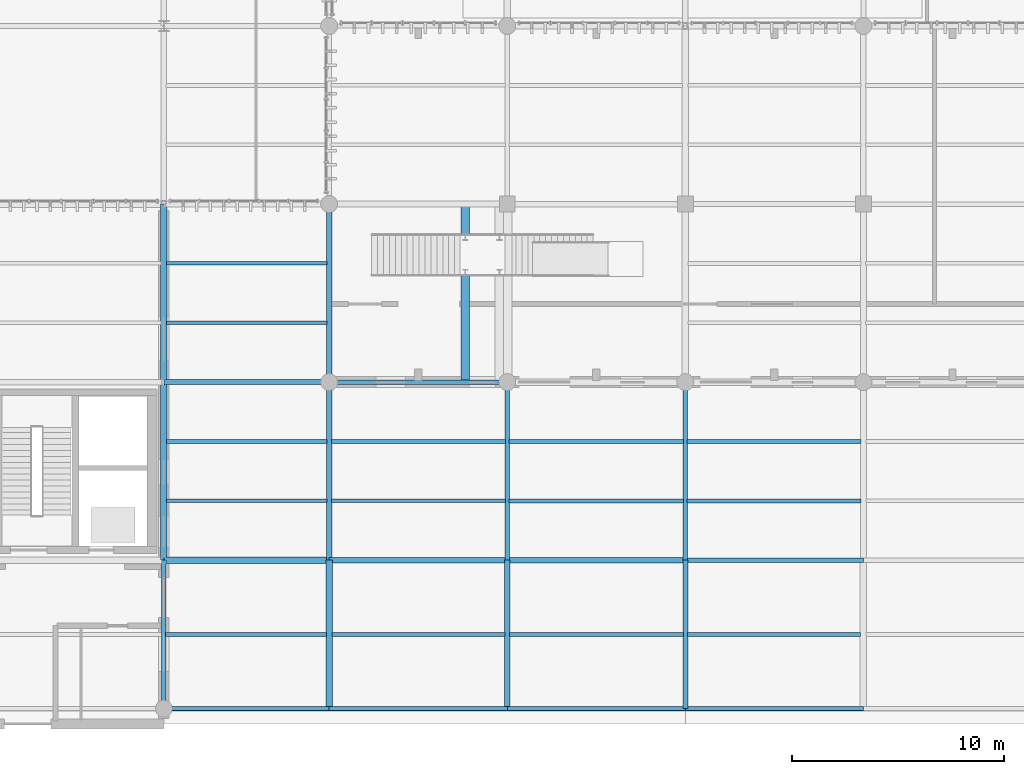
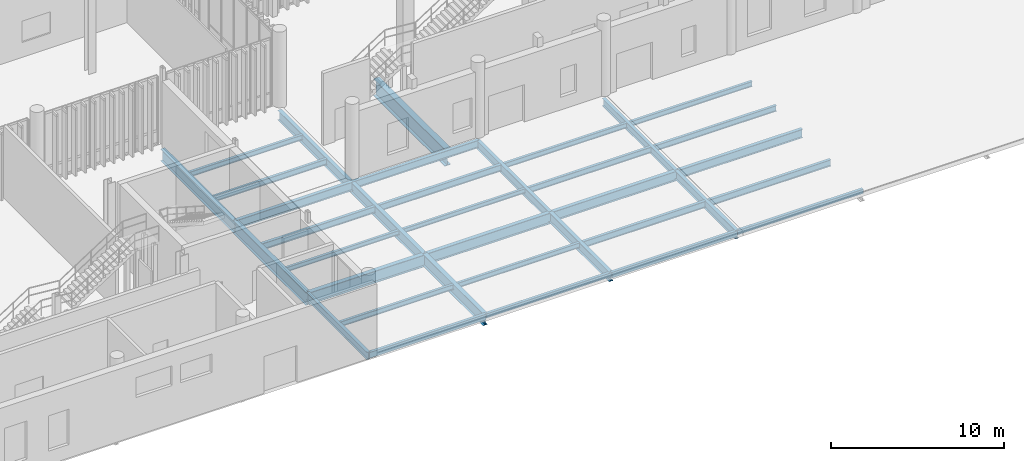
# One storey, part 20 of 112: 35 beams.
"""IFC4 building model written with IfcOpenShell, lengths in metres."""

from ifc_helpers import new_model, si_unit, direction, frame, origin_with_axes, origin_2d_with_axis, place, context, subcontext, project, spatial, hollow_rectangle, i_section, extrude, material, material_profile, profile_set, type_object, element, save


model = new_model("IFC4")

# Units and contexts
model_context = context("Model", 3, precision=1e-05, world=origin_with_axes(), true_north=direction((0.0, 1.0)))
body_context = subcontext(model_context, "Body", "Model", "MODEL_VIEW")
ifc_project = project(units=[si_unit("LENGTHUNIT", "METRE"), si_unit("AREAUNIT", "SQUARE_METRE"), si_unit("VOLUMEUNIT", "CUBIC_METRE"), si_unit("PLANEANGLEUNIT", "RADIAN"), si_unit("MASSUNIT", "GRAM", prefix="KILO"), si_unit("THERMODYNAMICTEMPERATUREUNIT", "KELVIN")], contexts=[model_context])

# Site, building, storey
site_placement = place(None, origin_with_axes())
site = spatial("IfcSite", under=ifc_project, at=site_placement, CompositionType="ELEMENT")
building_placement = place(site_placement, origin_with_axes())
building = spatial("IfcBuilding", under=site, at=building_placement, Name="Montbau Bow Law Courts", CompositionType="ELEMENT")
storey_placement = place(building_placement, origin_with_axes())
storey = spatial("IfcBuildingStorey", under=building, at=storey_placement, Name="L00", CompositionType="ELEMENT", Elevation=0.0)

# Beams
ifc_material_1 = material(Name="Steel CSA G40.21 Grade 350W (350 MPa)", Category="steel")
ifc_material_profile_1 = material_profile(ifc_material_1, i_section(OverallWidth=0.306, OverallDepth=0.919, WebThickness=0.0173, FlangeThickness=0.0279, at=origin_2d_with_axis()), Name="W920X253", Category="Main", Priority=0)
ifc_profile_set_1 = profile_set([ifc_material_profile_1], Name="Steel CSA G40.21 Grade 350W (350 MPa)")
beam_type_1 = type_object("IfcBeamType", Name="B-FLR-01", PredefinedType="BEAM", material=ifc_profile_set_1)
beam_1_placement = place(None, frame((39.0, 13.8, -0.75), z_axis=(0.0, 1.0, 0.0), x_axis=(-1.0, 0.0, 0.0)))
element("IfcBeam", 1, at=beam_1_placement, inside=storey, type_object=beam_type_1, Name="BM-L00-S0261:bm2_0264", PredefinedType="BEAM", context=body_context, shape_type="SweptSolid", body=[
    extrude(i_section(OverallWidth=0.306, OverallDepth=0.919, WebThickness=0.0173, FlangeThickness=0.0279, at=origin_2d_with_axis()), origin_with_axes(), (0.0, 0.0, 1.0), 8.4),
])
ifc_material_profile_2 = material_profile(ifc_material_1, i_section(OverallWidth=0.293, OverallDepth=0.846, WebThickness=0.0154, FlangeThickness=0.0244, at=origin_2d_with_axis()), Name="W840X210", Category="Main", Priority=0)
ifc_profile_set_2 = profile_set([ifc_material_profile_2], Name="Steel CSA G40.21 Grade 350W (350 MPa)")
beam_type_2 = type_object("IfcBeamType", Name="B-FLR-02", PredefinedType="BEAM", material=ifc_profile_set_2)
beam_2_placement = place(None, frame((39.0, 13.8, -0.713), z_axis=(1.0, 0.0, 0.0), x_axis=(0.0, 1.0, 0.0)))
element("IfcBeam", 2, at=beam_2_placement, inside=storey, type_object=beam_type_2, Name="BM-L00-S0145:bm2_0148", PredefinedType="BEAM", context=body_context, shape_type="SweptSolid", body=[
    extrude(i_section(OverallWidth=0.293, OverallDepth=0.846, WebThickness=0.0154, FlangeThickness=0.0244, at=origin_2d_with_axis()), origin_with_axes(), (0.0, 0.0, 1.0), 7.8),
])
beam_3_placement = place(None, frame((39.0, 22.2, -0.763), z_axis=(0.0, 1.0, 0.0), x_axis=(-1.0, 0.0, 0.0)))
element("IfcBeam", 3, at=beam_3_placement, inside=storey, type_object=beam_type_2, Name="BM-L00-S0262:bm2_0265", PredefinedType="BEAM", context=body_context, shape_type="SweptSolid", body=[
    extrude(i_section(OverallWidth=0.293, OverallDepth=0.846, WebThickness=0.0154, FlangeThickness=0.0244, at=origin_2d_with_axis()), origin_with_axes(), (0.0, 0.0, 1.0), 8.4),
])
beam_4_placement = place(None, frame((46.8, 6.8, -0.713), z_axis=(0.0, 1.0, 0.0), x_axis=(-1.0, 0.0, 0.0)))
element("IfcBeam", 4, at=beam_4_placement, inside=storey, type_object=beam_type_2, Name="BM-L00-S0267:bm2_0270", PredefinedType="BEAM", context=body_context, shape_type="SweptSolid", body=[
    extrude(i_section(OverallWidth=0.293, OverallDepth=0.846, WebThickness=0.0154, FlangeThickness=0.0244, at=origin_2d_with_axis()), origin_with_axes(), (0.0, 0.0, 1.0), 7.0),
])
ifc_material_profile_3 = material_profile(ifc_material_1, i_section(OverallWidth=0.267, OverallDepth=0.766, WebThickness=0.0149, FlangeThickness=0.0236, at=origin_2d_with_axis()), Name="W760X185", Category="Main", Priority=0)
ifc_profile_set_3 = profile_set([ifc_material_profile_3], Name="Steel CSA G40.21 Grade 350W (350 MPa)")
beam_type_3 = type_object("IfcBeamType", Name="B-FLR-03", PredefinedType="BEAM", material=ifc_profile_set_3)
for number, where, z_axis, x_axis, name in (
    (5, (46.8, 13.8, -0.673), (1.0, 0.0, 0.0), (0.0, 1.0, 0.0), "BM-L00-S0146:bm2_0149"),
    (6, (46.8, 13.8, -0.673), (0.0, 1.0, 0.0), (-1.0, 0.0, 0.0), "BM-L00-S0268:bm2_0271"),
):
    element("IfcBeam", number, at=place(None, frame(where, z_axis=z_axis, x_axis=x_axis)), inside=storey, type_object=beam_type_3, Name=name, PredefinedType="BEAM", context=body_context, shape_type="SweptSolid", body=[
        extrude(i_section(OverallWidth=0.267, OverallDepth=0.766, WebThickness=0.0149, FlangeThickness=0.0236, at=origin_2d_with_axis()), origin_with_axes(), (0.0, 0.0, 1.0), 8.4),
    ])
ifc_material_profile_4 = material_profile(ifc_material_1, i_section(OverallWidth=0.254, OverallDepth=0.688, WebThickness=0.0131, FlangeThickness=0.0211, at=origin_2d_with_axis()), Name="W690X152", Category="Main", Priority=0)
ifc_profile_set_4 = profile_set([ifc_material_profile_4], Name="Steel CSA G40.21 Grade 350W (350 MPa)")
beam_type_4 = type_object("IfcBeamType", Name="B-FLR-04", PredefinedType="BEAM", material=ifc_profile_set_4)
for number, where, z_axis, x_axis, name in (
    (7, (55.2, 13.8, -0.634), (1.0, 0.0, 0.0), (0.0, 1.0, 0.0), "BM-L00-S0147:bm2_0150"),
    (8, (46.8, 22.2, -0.684), (0.0, 1.0, 0.0), (-1.0, 0.0, 0.0), "BM-L00-S0269:bm2_0272"),
):
    element("IfcBeam", number, at=place(None, frame(where, z_axis=z_axis, x_axis=x_axis)), inside=storey, type_object=beam_type_4, Name=name, PredefinedType="BEAM", context=body_context, shape_type="SweptSolid", body=[
        extrude(i_section(OverallWidth=0.254, OverallDepth=0.688, WebThickness=0.0131, FlangeThickness=0.0211, at=origin_2d_with_axis()), origin_with_axes(), (0.0, 0.0, 1.0), 8.4),
    ])
beam_5_placement = place(None, frame((55.2, 6.8, -0.634), z_axis=(0.0, 1.0, 0.0), x_axis=(-1.0, 0.0, 0.0)))
element("IfcBeam", 9, at=beam_5_placement, inside=storey, type_object=beam_type_4, Name="BM-L00-S0274:bm2_0277", PredefinedType="BEAM", context=body_context, shape_type="SweptSolid", body=[
    extrude(i_section(OverallWidth=0.254, OverallDepth=0.688, WebThickness=0.0131, FlangeThickness=0.0211, at=origin_2d_with_axis()), origin_with_axes(), (0.0, 0.0, 1.0), 7.0),
])
ifc_material_profile_5 = material_profile(ifc_material_1, i_section(OverallWidth=0.229, OverallDepth=0.612, WebThickness=0.0119, FlangeThickness=0.0196, at=origin_2d_with_axis()), Name="W610X125", Category="Main", Priority=0)
ifc_profile_set_5 = profile_set([ifc_material_profile_5], Name="Steel CSA G40.21 Grade 350W (350 MPa)")
beam_type_5 = type_object("IfcBeamType", Name="B-FLR-05", PredefinedType="BEAM", material=ifc_profile_set_5)
beam_6_placement = place(None, frame((63.6, 13.8, -0.596), z_axis=(1.0, 0.0, 0.0), x_axis=(0.0, 1.0, 0.0)))
element("IfcBeam", 10, at=beam_6_placement, inside=storey, type_object=beam_type_5, Name="BM-L00-S0148:bm2_0151", PredefinedType="BEAM", context=body_context, shape_type="SweptSolid", body=[
    extrude(i_section(OverallWidth=0.229, OverallDepth=0.612, WebThickness=0.0119, FlangeThickness=0.0196, at=origin_2d_with_axis()), origin_with_axes(), (0.0, 0.0, 1.0), 8.4),
])
beam_7_placement = place(None, frame((39.0, 22.2, -0.596), z_axis=(1.0, 0.0, 0.0), x_axis=(0.0, 1.0, 0.0)))
element("IfcBeam", 11, at=beam_7_placement, inside=storey, type_object=beam_type_5, Name="BM-L00-S0159:bm2_0162", PredefinedType="BEAM", context=body_context, shape_type="SweptSolid", body=[
    extrude(i_section(OverallWidth=0.229, OverallDepth=0.612, WebThickness=0.0119, FlangeThickness=0.0196, at=origin_2d_with_axis()), origin_with_axes(), (0.0, 0.0, 1.0), 7.8),
])
beam_8_placement = place(None, frame((55.2, 13.8, -0.596), z_axis=(0.0, 1.0, 0.0), x_axis=(-1.0, 0.0, 0.0)))
element("IfcBeam", 12, at=beam_8_placement, inside=storey, type_object=beam_type_5, Name="BM-L00-S0275:bm2_0278", PredefinedType="BEAM", context=body_context, shape_type="SweptSolid", body=[
    extrude(i_section(OverallWidth=0.229, OverallDepth=0.612, WebThickness=0.0119, FlangeThickness=0.0196, at=origin_2d_with_axis()), origin_with_axes(), (0.0, 0.0, 1.0), 8.4),
])
beam_9_placement = place(None, frame((63.6, 6.8, -0.596), z_axis=(0.0, 1.0, 0.0), x_axis=(-1.0, 0.0, 0.0)))
element("IfcBeam", 13, at=beam_9_placement, inside=storey, type_object=beam_type_5, Name="BM-L00-S0280:bm2_0283", PredefinedType="BEAM", context=body_context, shape_type="SweptSolid", body=[
    extrude(i_section(OverallWidth=0.229, OverallDepth=0.612, WebThickness=0.0119, FlangeThickness=0.0196, at=origin_2d_with_axis()), origin_with_axes(), (0.0, 0.0, 1.0), 7.0),
])
ifc_material_profile_6 = material_profile(ifc_material_1, i_section(OverallWidth=0.21, OverallDepth=0.537, WebThickness=0.0109, FlangeThickness=0.0174, at=origin_2d_with_axis()), Name="W530X101", Category="Main", Priority=0)
ifc_profile_set_6 = profile_set([ifc_material_profile_6], Name="Steel CSA G40.21 Grade 350W (350 MPa)")
beam_type_6 = type_object("IfcBeamType", Name="B-FLR-06", PredefinedType="BEAM", material=ifc_profile_set_6)
beam_10_placement = place(None, frame((46.8, 22.2, -0.558), z_axis=(1.0, 0.0, 0.0), x_axis=(0.0, 1.0, 0.0)))
element("IfcBeam", 14, at=beam_10_placement, inside=storey, type_object=beam_type_6, Name="BM-L00-S0160:bm2_0163", PredefinedType="BEAM", context=body_context, shape_type="SweptSolid", body=[
    extrude(i_section(OverallWidth=0.21, OverallDepth=0.537, WebThickness=0.0109, FlangeThickness=0.0174, at=origin_2d_with_axis()), origin_with_axes(), (0.0, 0.0, 1.0), 8.4),
])
beam_11_placement = place(None, frame((39.0, 6.8, -0.558), z_axis=(0.0, 1.0, 0.0), x_axis=(-1.0, 0.0, 0.0)))
element("IfcBeam", 15, at=beam_11_placement, inside=storey, type_object=beam_type_6, Name="BM-L00-S0260:bm2_0263", PredefinedType="BEAM", context=body_context, shape_type="SweptSolid", body=[
    extrude(i_section(OverallWidth=0.21, OverallDepth=0.537, WebThickness=0.0109, FlangeThickness=0.0174, at=origin_2d_with_axis()), origin_with_axes(), (0.0, 0.0, 1.0), 7.0),
])
beam_12_placement = place(None, frame((63.6, 13.8, -0.558), z_axis=(0.0, 1.0, 0.0), x_axis=(-1.0, 0.0, 0.0)))
element("IfcBeam", 16, at=beam_12_placement, inside=storey, type_object=beam_type_6, Name="BM-L00-S0281:bm2_0284", PredefinedType="BEAM", context=body_context, shape_type="SweptSolid", body=[
    extrude(i_section(OverallWidth=0.21, OverallDepth=0.537, WebThickness=0.0109, FlangeThickness=0.0174, at=origin_2d_with_axis()), origin_with_axes(), (0.0, 0.0, 1.0), 8.4),
])
ifc_material_profile_7 = material_profile(ifc_material_1, i_section(OverallWidth=0.191, OverallDepth=0.46, WebThickness=0.0099, FlangeThickness=0.016, at=origin_2d_with_axis()), Name="W460X82", Category="Main", Priority=0)
ifc_profile_set_7 = profile_set([ifc_material_profile_7], Name="Steel CSA G40.21 Grade 350W (350 MPa)")
beam_type_7 = type_object("IfcBeamType", Name="B-JST-01", PredefinedType="JOIST", material=ifc_profile_set_7)
beam_13_placement = place(None, frame((39.129, 19.4, -0.52), z_axis=(1.0, 0.0, 0.0), x_axis=(0.0, 1.0, 0.0)))
element("IfcBeam", 17, at=beam_13_placement, inside=storey, type_object=beam_type_7, Name="JST-L00-S0032:jst2_0032", PredefinedType="JOIST", context=body_context, shape_type="SweptSolid", body=[
    extrude(i_section(OverallWidth=0.191, OverallDepth=0.46, WebThickness=0.0099, FlangeThickness=0.016, at=origin_2d_with_axis()), origin_with_axes(), (0.0, 0.0, 1.0), 7.562),
])
beam_14_placement = place(None, frame((46.909, 19.4, -0.52), z_axis=(1.0, 0.0, 0.0), x_axis=(0.0, 1.0, 0.0)))
element("IfcBeam", 18, at=beam_14_placement, inside=storey, type_object=beam_type_7, Name="JST-L00-S0044:jst2_0044", PredefinedType="JOIST", context=body_context, shape_type="SweptSolid", body=[
    extrude(i_section(OverallWidth=0.191, OverallDepth=0.46, WebThickness=0.0099, FlangeThickness=0.016, at=origin_2d_with_axis()), origin_with_axes(), (0.0, 0.0, 1.0), 8.201),
])
beam_15_placement = place(None, frame((55.303, 10.3, -0.52), z_axis=(1.0, 0.0, 0.0), x_axis=(0.0, 1.0, 0.0)))
element("IfcBeam", 19, at=beam_15_placement, inside=storey, type_object=beam_type_7, Name="JST-L00-S0052:jst2_0052", PredefinedType="JOIST", context=body_context, shape_type="SweptSolid", body=[
    extrude(i_section(OverallWidth=0.191, OverallDepth=0.46, WebThickness=0.0099, FlangeThickness=0.016, at=origin_2d_with_axis()), origin_with_axes(), (0.0, 0.0, 1.0), 8.207),
])
beam_16_placement = place(None, frame((63.691, 10.3, -0.52), z_axis=(1.0, 0.0, 0.0), x_axis=(0.0, 1.0, 0.0)))
element("IfcBeam", 20, at=beam_16_placement, inside=storey, type_object=beam_type_7, Name="JST-L00-S0060:jst2_0060", PredefinedType="JOIST", context=body_context, shape_type="SweptSolid", body=[
    extrude(i_section(OverallWidth=0.191, OverallDepth=0.46, WebThickness=0.0099, FlangeThickness=0.016, at=origin_2d_with_axis()), origin_with_axes(), (0.0, 0.0, 1.0), 8.18),
])
ifc_material_profile_8 = material_profile(ifc_material_1, i_section(OverallWidth=0.179, OverallDepth=0.41, WebThickness=0.0088, FlangeThickness=0.0144, at=origin_2d_with_axis()), Name="W410X67", Category="Main", Priority=0)
ifc_profile_set_8 = profile_set([ifc_material_profile_8], Name="Steel CSA G40.21 Grade 350W (350 MPa)")
beam_type_8 = type_object("IfcBeamType", Name="B-JST-02", PredefinedType="JOIST", material=ifc_profile_set_8)
beam_17_placement = place(None, frame((39.123, 25.0, -0.545), z_axis=(1.0, 0.0, 0.0), x_axis=(0.0, 1.0, 0.0)))
element("IfcBeam", 21, at=beam_17_placement, inside=storey, type_object=beam_type_8, Name="JST-L00-S0033:jst2_0033", PredefinedType="JOIST", context=body_context, shape_type="SweptSolid", body=[
    extrude(i_section(OverallWidth=0.179, OverallDepth=0.41, WebThickness=0.0088, FlangeThickness=0.0144, at=origin_2d_with_axis()), origin_with_axes(), (0.0, 0.0, 1.0), 7.574),
])
beam_18_placement = place(None, frame((55.291, 16.6, -0.495), z_axis=(1.0, 0.0, 0.0), x_axis=(0.0, 1.0, 0.0)))
element("IfcBeam", 22, at=beam_18_placement, inside=storey, type_object=beam_type_8, Name="JST-L00-S0053:jst2_0053", PredefinedType="JOIST", context=body_context, shape_type="SweptSolid", body=[
    extrude(i_section(OverallWidth=0.179, OverallDepth=0.41, WebThickness=0.0088, FlangeThickness=0.0144, at=origin_2d_with_axis()), origin_with_axes(), (0.0, 0.0, 1.0), 8.228),
])
beam_19_placement = place(None, frame((63.681, 16.6, -0.495), z_axis=(1.0, 0.0, 0.0), x_axis=(0.0, 1.0, 0.0)))
element("IfcBeam", 23, at=beam_19_placement, inside=storey, type_object=beam_type_8, Name="JST-L00-S0061:jst2_0061", PredefinedType="JOIST", context=body_context, shape_type="SweptSolid", body=[
    extrude(i_section(OverallWidth=0.179, OverallDepth=0.41, WebThickness=0.0088, FlangeThickness=0.0144, at=origin_2d_with_axis()), origin_with_axes(), (0.0, 0.0, 1.0), 8.196),
])
ifc_material_profile_9 = material_profile(ifc_material_1, i_section(OverallWidth=0.172, OverallDepth=0.358, WebThickness=0.0079, FlangeThickness=0.0131, at=origin_2d_with_axis()), Name="W360X57", Category="Main", Priority=0)
ifc_profile_set_9 = profile_set([ifc_material_profile_9], Name="Steel CSA G40.21 Grade 350W (350 MPa)")
beam_type_9 = type_object("IfcBeamType", Name="B-JST-03", PredefinedType="JOIST", material=ifc_profile_set_9)
beam_20_placement = place(None, frame((39.081, 10.3, -0.469), z_axis=(1.0, 0.0, 0.0), x_axis=(0.0, 1.0, 0.0)))
element("IfcBeam", 24, at=beam_20_placement, inside=storey, type_object=beam_type_9, Name="JST-L00-S0030:jst2_0030", PredefinedType="JOIST", context=body_context, shape_type="SweptSolid", body=[
    extrude(i_section(OverallWidth=0.172, OverallDepth=0.358, WebThickness=0.0079, FlangeThickness=0.0131, at=origin_2d_with_axis()), origin_with_axes(), (0.0, 0.0, 1.0), 7.596),
])
beam_21_placement = place(None, frame((39.123, 27.8, -0.519), z_axis=(1.0, 0.0, 0.0), x_axis=(0.0, 1.0, 0.0)))
element("IfcBeam", 25, at=beam_21_placement, inside=storey, type_object=beam_type_9, Name="JST-L00-S0034:jst2_0034", PredefinedType="JOIST", context=body_context, shape_type="SweptSolid", body=[
    extrude(i_section(OverallWidth=0.172, OverallDepth=0.358, WebThickness=0.0079, FlangeThickness=0.0131, at=origin_2d_with_axis()), origin_with_axes(), (0.0, 0.0, 1.0), 7.574),
])
beam_22_placement = place(None, frame((46.922, 10.3, -0.469), z_axis=(1.0, 0.0, 0.0), x_axis=(0.0, 1.0, 0.0)))
element("IfcBeam", 26, at=beam_22_placement, inside=storey, type_object=beam_type_9, Name="JST-L00-S0042:jst2_0042", PredefinedType="JOIST", context=body_context, shape_type="SweptSolid", body=[
    extrude(i_section(OverallWidth=0.172, OverallDepth=0.358, WebThickness=0.0079, FlangeThickness=0.0131, at=origin_2d_with_axis()), origin_with_axes(), (0.0, 0.0, 1.0), 8.175),
])
beam_23_placement = place(None, frame((55.291, 19.4, -0.469), z_axis=(1.0, 0.0, 0.0), x_axis=(0.0, 1.0, 0.0)))
element("IfcBeam", 27, at=beam_23_placement, inside=storey, type_object=beam_type_9, Name="JST-L00-S0054:jst2_0054", PredefinedType="JOIST", context=body_context, shape_type="SweptSolid", body=[
    extrude(i_section(OverallWidth=0.172, OverallDepth=0.358, WebThickness=0.0079, FlangeThickness=0.0131, at=origin_2d_with_axis()), origin_with_axes(), (0.0, 0.0, 1.0), 8.228),
])
beam_24_placement = place(None, frame((63.681, 19.4, -0.469), z_axis=(1.0, 0.0, 0.0), x_axis=(0.0, 1.0, 0.0)))
element("IfcBeam", 28, at=beam_24_placement, inside=storey, type_object=beam_type_9, Name="JST-L00-S0062:jst2_0062", PredefinedType="JOIST", context=body_context, shape_type="SweptSolid", body=[
    extrude(i_section(OverallWidth=0.172, OverallDepth=0.358, WebThickness=0.0079, FlangeThickness=0.0131, at=origin_2d_with_axis()), origin_with_axes(), (0.0, 0.0, 1.0), 8.196),
])
ifc_material_profile_10 = material_profile(ifc_material_1, i_section(OverallWidth=0.166, OverallDepth=0.313, WebThickness=0.0066, FlangeThickness=0.0112, at=origin_2d_with_axis()), Name="W310X45", Category="Main", Priority=0)
ifc_profile_set_10 = profile_set([ifc_material_profile_10], Name="Steel CSA G40.21 Grade 350W (350 MPa)")
beam_type_10 = type_object("IfcBeamType", Name="B-JST-04", PredefinedType="JOIST", material=ifc_profile_set_10)
beam_25_placement = place(None, frame((39.129, 16.6, -0.447), z_axis=(1.0, 0.0, 0.0), x_axis=(0.0, 1.0, 0.0)))
element("IfcBeam", 29, at=beam_25_placement, inside=storey, type_object=beam_type_10, Name="JST-L00-S0031:jst2_0031", PredefinedType="JOIST", context=body_context, shape_type="SweptSolid", body=[
    extrude(i_section(OverallWidth=0.166, OverallDepth=0.313, WebThickness=0.0066, FlangeThickness=0.0112, at=origin_2d_with_axis()), origin_with_axes(), (0.0, 0.0, 1.0), 7.562),
])
beam_26_placement = place(None, frame((46.909, 16.6, -0.447), z_axis=(1.0, 0.0, 0.0), x_axis=(0.0, 1.0, 0.0)))
element("IfcBeam", 30, at=beam_26_placement, inside=storey, type_object=beam_type_10, Name="JST-L00-S0043:jst2_0043", PredefinedType="JOIST", context=body_context, shape_type="SweptSolid", body=[
    extrude(i_section(OverallWidth=0.166, OverallDepth=0.313, WebThickness=0.0066, FlangeThickness=0.0112, at=origin_2d_with_axis()), origin_with_axes(), (0.0, 0.0, 1.0), 8.201),
])
ifc_material_2 = material(Name="Steel CSA G40.21 Grade 350WT (350 MPa)", Category="steel")
ifc_material_profile_11 = material_profile(ifc_material_2, hollow_rectangle(XDim=0.203, YDim=0.406, WallThickness=0.0127, InnerFilletRadius=0.0254, OuterFilletRadius=0.0127, at=origin_2d_with_axis()), Name="HSS406X203X13", Category="Main", Priority=0)
ifc_profile_set_11 = profile_set([ifc_material_profile_11], Name="Steel CSA G40.21 Grade 350WT (350 MPa)")
beam_type_11 = type_object("IfcBeamType", Name="B-SPN-01", PredefinedType="SPANDREL", material=ifc_profile_set_11)
beam_27_placement = place(None, frame((39.0, 6.8, -0.493), z_axis=(1.0, 0.0, 0.0), x_axis=(0.0, 1.0, 0.0)))
element("IfcBeam", 31, at=beam_27_placement, inside=storey, type_object=beam_type_11, Name="SPN-L00-S0131:bm2_0134", PredefinedType="SPANDREL", context=body_context, shape_type="SweptSolid", body=[
    extrude(hollow_rectangle(XDim=0.203, YDim=0.406, WallThickness=0.0127, InnerFilletRadius=0.0254, OuterFilletRadius=0.0127, at=origin_2d_with_axis()), origin_with_axes(), (0.0, 0.0, 1.0), 7.8),
])
beam_28_placement = place(None, frame((55.2, 6.8, -0.493), z_axis=(1.0, 0.0, 0.0), x_axis=(0.0, 1.0, 0.0)))
element("IfcBeam", 32, at=beam_28_placement, inside=storey, type_object=beam_type_11, Name="SPN-L00-S0133:bm2_0136", PredefinedType="SPANDREL", context=body_context, shape_type="SweptSolid", body=[
    extrude(hollow_rectangle(XDim=0.203, YDim=0.406, WallThickness=0.0127, InnerFilletRadius=0.0254, OuterFilletRadius=0.0127, at=origin_2d_with_axis()), origin_with_axes(), (0.0, 0.0, 1.0), 8.4),
])
ifc_material_profile_12 = material_profile(ifc_material_2, hollow_rectangle(XDim=0.203, YDim=0.305, WallThickness=0.0127, InnerFilletRadius=0.0254, OuterFilletRadius=0.0127, at=origin_2d_with_axis()), Name="HSS305X203X13", Category="Main", Priority=0)
ifc_profile_set_12 = profile_set([ifc_material_profile_12], Name="Steel CSA G40.21 Grade 350WT (350 MPa)")
beam_type_12 = type_object("IfcBeamType", Name="B-SPN-02", PredefinedType="SPANDREL", material=ifc_profile_set_12)
for number, where, z_axis, x_axis, name in (
    (33, (46.8, 6.8, -0.443), (1.0, 0.0, 0.0), (0.0, 1.0, 0.0), "SPN-L00-S0132:bm2_0135"),
    (34, (63.6, 6.8, -0.443), (1.0, 0.0, 0.0), (0.0, 1.0, 0.0), "SPN-L00-S0134:bm2_0137"),
):
    element("IfcBeam", number, at=place(None, frame(where, z_axis=z_axis, x_axis=x_axis)), inside=storey, type_object=beam_type_12, Name=name, PredefinedType="SPANDREL", context=body_context, shape_type="SweptSolid", body=[
        extrude(hollow_rectangle(XDim=0.203, YDim=0.305, WallThickness=0.0127, InnerFilletRadius=0.0254, OuterFilletRadius=0.0127, at=origin_2d_with_axis()), origin_with_axes(), (0.0, 0.0, 1.0), 8.4),
    ])
ifc_material_profile_13 = material_profile(ifc_material_1, i_section(OverallWidth=0.4, OverallDepth=1.2, WebThickness=0.016, FlangeThickness=0.035, at=origin_2d_with_axis()), Name="WWF1200X302", Category="Main", Priority=0)
ifc_profile_set_13 = profile_set([ifc_material_profile_13], Name="Steel CSA G40.21 Grade 350W (350 MPa)")
beam_type_13 = type_object("IfcBeamType", Name="B-TRG-05", PredefinedType="USERDEFINED", material=ifc_profile_set_13)
beam_29_placement = place(None, frame((53.22, 22.275, -0.89), z_axis=(0.0, 1.0, 0.0), x_axis=(-1.0, 0.0, 0.0)))
element("IfcBeam", 35, at=beam_29_placement, inside=storey, type_object=beam_type_13, Name="TRG-L00-S1794:bm2_1797", ObjectType="GIRDER", PredefinedType="USERDEFINED", context=body_context, shape_type="SweptSolid", body=[
    extrude(i_section(OverallWidth=0.4, OverallDepth=1.2, WebThickness=0.016, FlangeThickness=0.035, at=origin_2d_with_axis()), origin_with_axes(), (0.0, 0.0, 1.0), 8.25),
])

save(model, "model.ifc")
